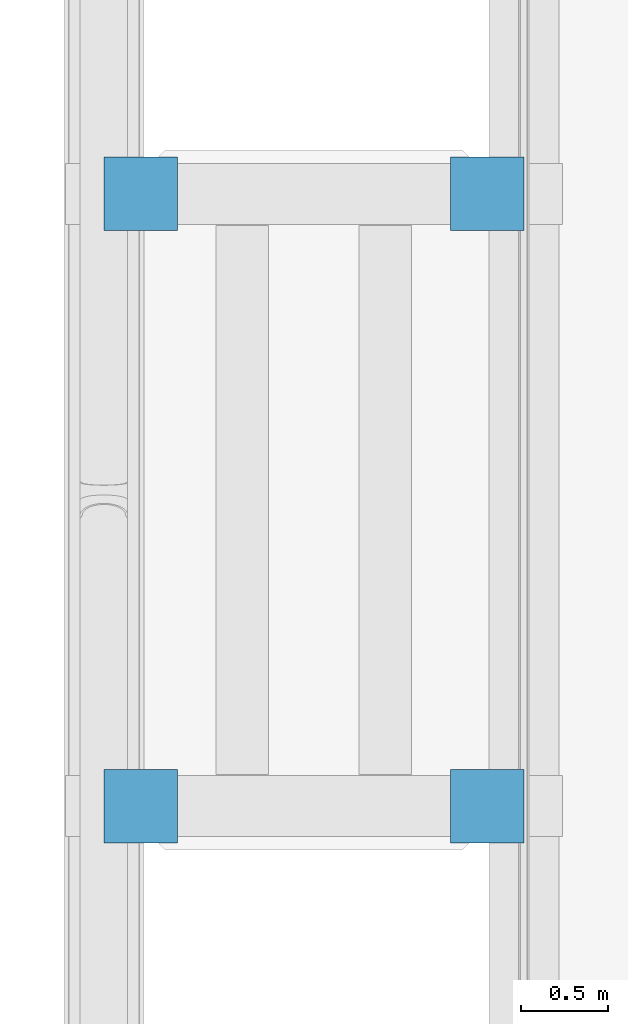
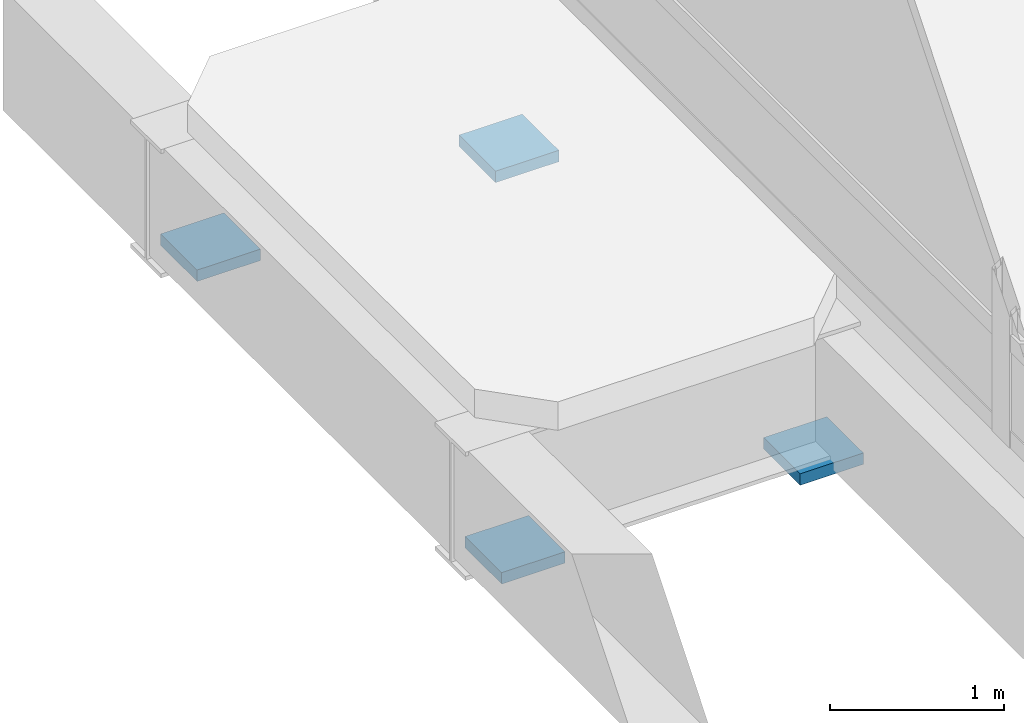
# One storey, part 158 of 193: 4 discrete accessories.
"""IFC4 building model written with IfcOpenShell, lengths in metres."""

from ifc_helpers import new_model, si_unit, direction, frame, origin, origin_2d, place, context, subcontext, project, spatial, rectangle, extrude, material, type_object, element, save


model = new_model("IFC4")

# Units and contexts
model_context = context("Model", 3, precision=1e-05, world=origin(), true_north=direction((0.0, 1.0)))
body_context = subcontext(model_context, "Body", "Model", "MODEL_VIEW")
ifc_project = project(units=[si_unit("LENGTHUNIT", "METRE"), si_unit("AREAUNIT", "SQUARE_METRE"), si_unit("VOLUMEUNIT", "CUBIC_METRE"), si_unit("PLANEANGLEUNIT", "RADIAN"), si_unit("MASSUNIT", "GRAM", prefix="KILO")], contexts=[model_context])

# Site, building, storey
site_placement = place(None, origin())
site = spatial("IfcSite", under=ifc_project, at=site_placement, CompositionType="ELEMENT")
building_placement = place(site_placement, origin())
building = spatial("IfcBuilding", under=site, at=building_placement, Name="Cendralis Lancet Convention Centre", CompositionType="ELEMENT")
storey_placement = place(building_placement, frame((0.0, 0.0, 10.199951171875)))
storey = spatial("IfcBuildingStorey", under=building, at=storey_placement, Name="L02", CompositionType="ELEMENT", Elevation=10.199951171875)

# Discrete accessories
ifc_material = material(Name="Elastomeric-PTFE sliding bridge bearing")
discrete_accessory_type = type_object("IfcDiscreteAccessoryType", Name="STR-BRG-PTFE", PredefinedType="SHOE", material=ifc_material)
for number, where, z_axis, x_axis, name in (
    (1, (122.610107421875, 102.64990234375, -1.179931640625), (0.0, 0.0, 1.0), (1.0, 0.0, 0.0), "Unguided PTFE Sliding Bridge Bearing SB-PTFE #009"),
    (2, (124.590087890625, 102.64990234375, -1.179931640625), (0.0, 0.0, 1.0), (1.0, 0.0, 0.0), "Unguided PTFE Sliding Bridge Bearing SB-PTFE #010"),
    (3, (122.610107421875, 106.14990234375, -1.179931640625), (0.0, 0.0, 1.0), (1.0, 0.0, 0.0), "Unguided PTFE Sliding Bridge Bearing SB-PTFE #011"),
    (4, (124.590087890625, 106.14990234375, -1.179931640625), (0.0, 0.0, 1.0), (1.0, 0.0, 0.0), "Unguided PTFE Sliding Bridge Bearing SB-PTFE #012"),
):
    element("IfcDiscreteAccessory", number, at=place(storey_placement, frame(where, z_axis=z_axis, x_axis=x_axis)), inside=storey, type_object=discrete_accessory_type, Name=name, PredefinedType="SHOE", context=body_context, shape_type="SweptSolid", body=[
        extrude(rectangle(XDim=0.419921875, YDim=0.419921875, at=origin_2d()), origin(), (0.0, 0.0, 1.0), 0.080078125),
    ])

save(model, "model.ifc")
